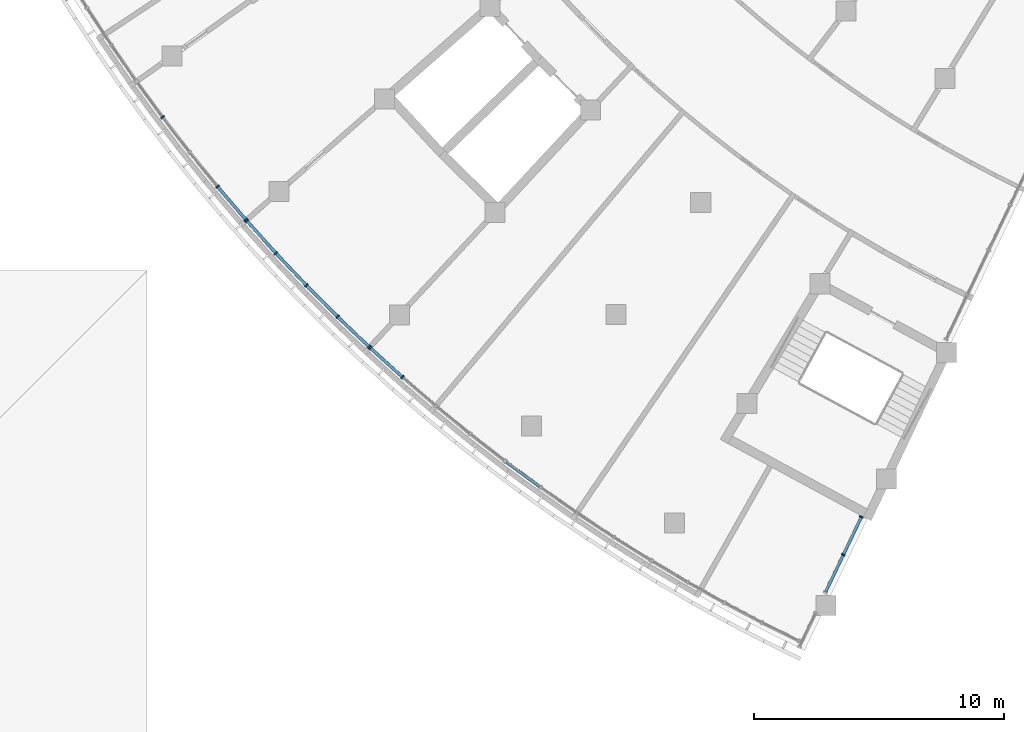
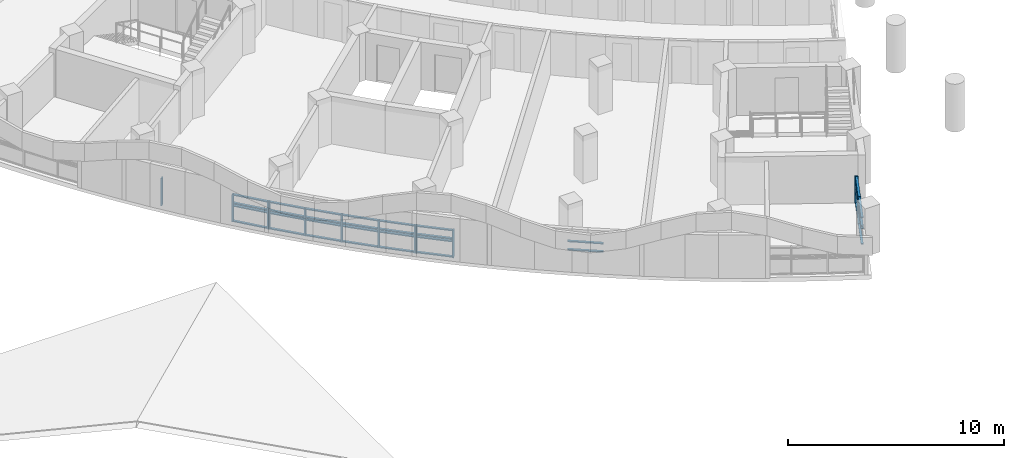
# One storey, part 4 of 89: 46 members, 5 elements without a shape of their own.
"""IFC4 building model written with IfcOpenShell, lengths in metres."""

from ifc_helpers import new_model, si_unit, direction, frame, origin, origin_2d, place, context, subcontext, project, spatial, rectangle, extrude, material, material_profile, profile_set, type_object, element, aggregate, save


model = new_model("IFC4")

# Units and contexts
model_context = context("Model", 3, precision=1e-05, world=origin(), true_north=direction((0.0, 1.0)))
body_context = subcontext(model_context, "Body", "Model", "MODEL_VIEW")
ifc_project = project(units=[si_unit("LENGTHUNIT", "METRE"), si_unit("AREAUNIT", "SQUARE_METRE"), si_unit("VOLUMEUNIT", "CUBIC_METRE"), si_unit("PLANEANGLEUNIT", "RADIAN"), si_unit("MASSUNIT", "GRAM", prefix="KILO")], contexts=[model_context])

# Site, building, storey
site_placement = place(None, origin())
site = spatial("IfcSite", under=ifc_project, at=site_placement, CompositionType="ELEMENT")
building_placement = place(site_placement, origin())
building = spatial("IfcBuilding", under=site, at=building_placement, Name="Bougainvillea Quay General Hospital", CompositionType="ELEMENT")
storey_placement = place(building_placement, frame((0.0, 0.0, 9.89990234375)))
storey = spatial("IfcBuildingStorey", under=building, at=storey_placement, Name="L01M", CompositionType="ELEMENT", Elevation=9.89990234375)

# Curtain wall, members
ifc_material_1 = material(Name="Aluminium curtain wall system, powder-coated glazed", Category="aluminium")
curtain_wall_type_1 = type_object("IfcCurtainWallType", Name="Unitised curtain wall CW-2100", PredefinedType="NOTDEFINED", material=ifc_material_1)
curtain_wall_1_placement = place(storey_placement, origin())
curtain_wall_1 = element("IfcCurtainWall", 1, at=curtain_wall_1_placement, inside=storey, type_object=curtain_wall_type_1, Name="CW-W03 a01b2", PredefinedType="NOTDEFINED")
ifc_material_2 = material(Name="Aluminium mullion, powder-coated charcoal", Category="aluminium")
ifc_material_profile_1 = material_profile(ifc_material_2, rectangle(XDim=0.159912109375, YDim=0.06005859375, at=origin_2d()))
ifc_profile_set_1 = profile_set([ifc_material_profile_1], Name="Aluminium mullion, powder-coated charcoal")
member_type_1 = type_object("IfcMemberType", Name="Curtain wall mullion 160x60", PredefinedType="MULLION", material=ifc_profile_set_1)
member_1_placement = place(storey_placement, frame((62.997802734375, 73.74658203125, 0.0), z_axis=(0.0, 0.0, 1.0), x_axis=(-0.662397799417, -0.749152291145, 0.0)))
member_1 = element("IfcMember", 2, at=member_1_placement, type_object=member_type_1, Name="CW-W03 mullion 4", PredefinedType="MULLION", context=body_context, shape_type="SweptSolid", body=[
    extrude(rectangle(XDim=0.159912109375, YDim=0.06005859375, at=origin_2d()), origin(), (0.0, 0.0, 1.0), 1.550048828125),
])
member_2_placement = place(storey_placement, frame((61.7099609375, 74.914794921875, 0.0), z_axis=(0.0, 0.0, 1.0), x_axis=(-0.671843410143, -0.740693210613, 0.0)))
member_2 = element("IfcMember", 3, at=member_2_placement, type_object=member_type_1, Name="CW-W03 mullion 5", PredefinedType="MULLION", context=body_context, shape_type="SweptSolid", body=[
    extrude(rectangle(XDim=0.159912109375, YDim=0.06005859375, at=origin_2d()), origin(), (0.0, 0.0, 1.0), 1.550048828125),
])

curtain_wall_2_placement = place(storey_placement, origin())
curtain_wall_2 = element("IfcCurtainWall", 4, at=curtain_wall_2_placement, inside=storey, type_object=curtain_wall_type_1, Name="CW-W04 a01b3", PredefinedType="NOTDEFINED")
member_3_placement = place(storey_placement, frame((61.666015625, 74.955810546875, 0.0), z_axis=(0.0, 0.0, 1.0), x_axis=(-0.690409082244, -0.72341917251, 0.0)))
member_3 = element("IfcMember", 5, at=member_3_placement, type_object=member_type_1, Name="CW-W04 mullion 1", PredefinedType="MULLION", context=body_context, shape_type="SweptSolid", body=[
    extrude(rectangle(XDim=0.159912109375, YDim=0.06005859375, at=origin_2d()), origin(), (0.0, 0.0, 1.0), 1.550048828125),
])
member_4_placement = place(storey_placement, frame((60.407958984375, 76.15625, 0.0), z_axis=(0.0, 0.0, 1.0), x_axis=(-0.699526158712, -0.714606992183, 0.0)))
member_4 = element("IfcMember", 6, at=member_4_placement, type_object=member_type_1, Name="CW-W04 mullion 2", PredefinedType="MULLION", context=body_context, shape_type="SweptSolid", body=[
    extrude(rectangle(XDim=0.159912109375, YDim=0.06005859375, at=origin_2d()), origin(), (0.0, 0.0, 1.0), 1.550048828125),
])
member_5_placement = place(storey_placement, frame((59.159912109375, 77.409423828125, 0.0), z_axis=(0.0, 0.0, 1.0), x_axis=(-0.717421463702, -0.69663939267, 0.0)))
member_5 = element("IfcMember", 7, at=member_5_placement, type_object=member_type_1, Name="CW-W04 mullion 3", PredefinedType="MULLION", context=body_context, shape_type="SweptSolid", body=[
    extrude(rectangle(XDim=0.159912109375, YDim=0.06005859375, at=origin_2d()), origin(), (0.0, 0.0, 1.0), 1.550048828125),
])
member_6_placement = place(storey_placement, frame((57.94384765625, 78.69384765625, 0.0), z_axis=(0.0, 0.0, 1.0), x_axis=(-0.734855411756, -0.678223800683, 0.0)))
member_6 = element("IfcMember", 8, at=member_6_placement, type_object=member_type_1, Name="CW-W04 mullion 4", PredefinedType="MULLION", context=body_context, shape_type="SweptSolid", body=[
    extrude(rectangle(XDim=0.159912109375, YDim=0.06005859375, at=origin_2d()), origin(), (0.0, 0.0, 1.0), 1.550048828125),
])
member_7_placement = place(storey_placement, frame((56.78076171875, 79.986572265625, 0.0), z_axis=(0.0, 0.0, 1.0), x_axis=(-0.743395861593, -0.668851697289, 0.0)))
member_7 = element("IfcMember", 9, at=member_7_placement, type_object=member_type_1, Name="CW-W04 mullion 5", PredefinedType="MULLION", context=body_context, shape_type="SweptSolid", body=[
    extrude(rectangle(XDim=0.159912109375, YDim=0.06005859375, at=origin_2d()), origin(), (0.0, 0.0, 1.0), 1.550048828125),
])

curtain_wall_3_placement = place(storey_placement, origin())
curtain_wall_3 = element("IfcCurtainWall", 10, at=curtain_wall_3_placement, inside=storey, type_object=curtain_wall_type_1, Name="CW-W05 a01b4", PredefinedType="NOTDEFINED")
member_8_placement = place(storey_placement, frame((56.7412109375, 80.031494140625, 0.0), z_axis=(0.0, 0.0, 1.0), x_axis=(-0.760116847627, -0.649786409486, 0.0)))
member_8 = element("IfcMember", 11, at=member_8_placement, type_object=member_type_1, Name="CW-W05 mullion 1", PredefinedType="MULLION", context=body_context, shape_type="SweptSolid", body=[
    extrude(rectangle(XDim=0.159912109375, YDim=0.06005859375, at=origin_2d()), origin(), (0.0, 0.0, 1.0), 1.550048828125),
])
member_9_placement = place(storey_placement, frame((55.611572265625, 81.353271484375, 0.0), z_axis=(0.0, 0.0, 1.0), x_axis=(-0.768294695498, -0.64009629031, 0.0)))
member_9 = element("IfcMember", 12, at=member_9_placement, type_object=member_type_1, Name="CW-W05 mullion 2", PredefinedType="MULLION", context=body_context, shape_type="SweptSolid", body=[
    extrude(rectangle(XDim=0.159912109375, YDim=0.06005859375, at=origin_2d()), origin(), (0.0, 0.0, 1.0), 1.550048828125),
])
member_10_placement = place(storey_placement, frame((53.4169921875, 84.12744140625, 0.0), z_axis=(0.0, 0.0, 1.0), x_axis=(-0.799758007688, -0.600322520933, 0.0)))
member_10 = element("IfcMember", 13, at=member_10_placement, type_object=member_type_1, Name="CW-W05 mullion 4", PredefinedType="MULLION", context=body_context, shape_type="SweptSolid", body=[
    extrude(rectangle(XDim=0.159912109375, YDim=0.06005859375, at=origin_2d()), origin(), (0.0, 0.0, 1.0), 1.550048828125),
])

curtain_wall_type_2 = type_object("IfcCurtainWallType", Name="Unitised curtain wall CW-1703", PredefinedType="NOTDEFINED", material=ifc_material_1)
curtain_wall_4_placement = place(storey_placement, origin())
curtain_wall_4 = element("IfcCurtainWall", 14, at=curtain_wall_4_placement, inside=storey, type_object=curtain_wall_type_2, Name="CW-AE 01", PredefinedType="NOTDEFINED")
member_11_placement = place(storey_placement, frame((80.61328125, 66.647705078125, 0.0), z_axis=(0.0, 0.0, 1.0), x_axis=(-0.902578440897, 0.430525444112, 0.0)))
member_11 = element("IfcMember", 15, at=member_11_placement, type_object=member_type_1, Name="CW-AE mullion 2", PredefinedType="MULLION", context=body_context, shape_type="SweptSolid", body=[
    extrude(rectangle(XDim=0.159912109375, YDim=0.06005859375, at=origin_2d()), origin(), (0.0, 0.0, 1.0), 1.550048828125),
])
member_12_placement = place(storey_placement, frame((81.33349609375, 68.157470703125, 0.0), z_axis=(0.0, 0.0, 1.0), x_axis=(-0.902578440897, 0.430525444112, 0.0)))
member_12 = element("IfcMember", 16, at=member_12_placement, type_object=member_type_1, Name="CW-AE mullion 3", PredefinedType="MULLION", context=body_context, shape_type="SweptSolid", body=[
    extrude(rectangle(XDim=0.159912109375, YDim=0.06005859375, at=origin_2d()), origin(), (0.0, 0.0, 1.0), 1.550048828125),
])

curtain_wall_5_placement = place(storey_placement, origin())
curtain_wall_5 = element("IfcCurtainWall", 17, at=curtain_wall_5_placement, inside=storey, type_object=curtain_wall_type_1, Name="CW-W02 a01b1", PredefinedType="NOTDEFINED")
ifc_material_3 = material(Name="Aluminium transom, powder-coated charcoal", Category="aluminium")
ifc_material_profile_2 = material_profile(ifc_material_3, rectangle(XDim=0.1201171875, YDim=0.06005859375, at=origin_2d()))
ifc_profile_set_2 = profile_set([ifc_material_profile_2], Name="Aluminium transom, powder-coated charcoal")
member_type_2 = type_object("IfcMemberType", Name="Curtain wall transom 120x60", PredefinedType="USERDEFINED", material=ifc_profile_set_2)
member_13_placement = place(storey_placement, frame((68.50244140625, 69.3544921875, 1.050048828125), z_axis=(-0.804894956089, 0.593417314934, 0.0), x_axis=(-0.593417314934, -0.804894956089, 0.0)))
member_13 = element("IfcMember", 18, at=member_13_placement, type_object=member_type_2, Name="CW-W02 transom 4.3", ObjectType="TRANSOM", PredefinedType="USERDEFINED", context=body_context, shape_type="SweptSolid", body=[
    extrude(rectangle(XDim=0.1201171875, YDim=0.06005859375, at=origin_2d()), origin(), (0.0, 0.0, 1.0), 1.678466796875),
])
member_14_placement = place(storey_placement, frame((68.50244140625, 69.3544921875, 1.52001953125), z_axis=(-0.804894956089, 0.593417314934, 0.0), x_axis=(-0.593417314934, -0.804894956089, 0.0)))
member_14 = element("IfcMember", 19, at=member_14_placement, type_object=member_type_2, Name="CW-W02 transom 4.4", ObjectType="TRANSOM", PredefinedType="USERDEFINED", context=body_context, shape_type="SweptSolid", body=[
    extrude(rectangle(XDim=0.1201171875, YDim=0.06005859375, at=origin_2d()), origin(), (0.0, 0.0, 1.0), 1.678466796875),
])
aggregate(curtain_wall_5, [member_13, member_14])

# Member
member_15_placement = place(storey_placement, frame((62.9755859375, 73.766845703125, 0.030029296875), z_axis=(-0.740663493484, 0.671876171195, 0.0), x_axis=(-0.671876171195, -0.740663493484, 0.0)))
member_15 = element("IfcMember", 20, at=member_15_placement, type_object=member_type_2, Name="CW-W03 transom 4.1", ObjectType="TRANSOM", PredefinedType="USERDEFINED", context=body_context, shape_type="SweptSolid", body=[
    extrude(rectangle(XDim=0.1201171875, YDim=0.06005859375, at=origin_2d()), origin(), (0.0, 0.0, 1.0), 1.6787109375),
])

member_16_placement = place(storey_placement, frame((62.9755859375, 73.766845703125, 0.900146484375), z_axis=(-0.740663493484, 0.671876171195, 0.0), x_axis=(-0.671876171195, -0.740663493484, 0.0)))
member_16 = element("IfcMember", 21, at=member_16_placement, type_object=member_type_2, Name="CW-W03 transom 4.2", ObjectType="TRANSOM", PredefinedType="USERDEFINED", context=body_context, shape_type="SweptSolid", body=[
    extrude(rectangle(XDim=0.1201171875, YDim=0.06005859375, at=origin_2d()), origin(), (0.0, 0.0, 1.0), 1.6787109375),
])

member_17_placement = place(storey_placement, frame((62.9755859375, 73.766845703125, 1.050048828125), z_axis=(-0.740663493484, 0.671876171195, 0.0), x_axis=(-0.671876171195, -0.740663493484, 0.0)))
member_17 = element("IfcMember", 22, at=member_17_placement, type_object=member_type_2, Name="CW-W03 transom 4.3", ObjectType="TRANSOM", PredefinedType="USERDEFINED", context=body_context, shape_type="SweptSolid", body=[
    extrude(rectangle(XDim=0.1201171875, YDim=0.06005859375, at=origin_2d()), origin(), (0.0, 0.0, 1.0), 1.6787109375),
])

member_18_placement = place(storey_placement, frame((62.9755859375, 73.766845703125, 1.52001953125), z_axis=(-0.740663493484, 0.671876171195, 0.0), x_axis=(-0.671876171195, -0.740663493484, 0.0)))
member_18 = element("IfcMember", 23, at=member_18_placement, type_object=member_type_2, Name="CW-W03 transom 4.4", ObjectType="TRANSOM", PredefinedType="USERDEFINED", context=body_context, shape_type="SweptSolid", body=[
    extrude(rectangle(XDim=0.1201171875, YDim=0.06005859375, at=origin_2d()), origin(), (0.0, 0.0, 1.0), 1.6787109375),
])

aggregate(curtain_wall_1, [member_1, member_2, member_15, member_16, member_17, member_18])

member_19_placement = place(storey_placement, frame((61.644287109375, 74.976318359375, 0.030029296875), z_axis=(-0.723418264264, 0.690410033914, 0.0), x_axis=(-0.690410033914, -0.723418264264, 0.0)))
member_19 = element("IfcMember", 24, at=member_19_placement, type_object=member_type_2, Name="CW-W04 transom 1.1", ObjectType="TRANSOM", PredefinedType="USERDEFINED", context=body_context, shape_type="SweptSolid", body=[
    extrude(rectangle(XDim=0.1201171875, YDim=0.06005859375, at=origin_2d()), origin(), (0.0, 0.0, 1.0), 1.678955078125),
])

member_20_placement = place(storey_placement, frame((61.644287109375, 74.976318359375, 0.900146484375), z_axis=(-0.723418264264, 0.690410033914, 0.0), x_axis=(-0.690410033914, -0.723418264264, 0.0)))
member_20 = element("IfcMember", 25, at=member_20_placement, type_object=member_type_2, Name="CW-W04 transom 1.2", ObjectType="TRANSOM", PredefinedType="USERDEFINED", context=body_context, shape_type="SweptSolid", body=[
    extrude(rectangle(XDim=0.1201171875, YDim=0.06005859375, at=origin_2d()), origin(), (0.0, 0.0, 1.0), 1.678955078125),
])

member_21_placement = place(storey_placement, frame((61.644287109375, 74.976318359375, 1.050048828125), z_axis=(-0.723418264264, 0.690410033914, 0.0), x_axis=(-0.690410033914, -0.723418264264, 0.0)))
member_21 = element("IfcMember", 26, at=member_21_placement, type_object=member_type_2, Name="CW-W04 transom 1.3", ObjectType="TRANSOM", PredefinedType="USERDEFINED", context=body_context, shape_type="SweptSolid", body=[
    extrude(rectangle(XDim=0.1201171875, YDim=0.06005859375, at=origin_2d()), origin(), (0.0, 0.0, 1.0), 1.678955078125),
])

member_22_placement = place(storey_placement, frame((61.644287109375, 74.976318359375, 1.52001953125), z_axis=(-0.723418264264, 0.690410033914, 0.0), x_axis=(-0.690410033914, -0.723418264264, 0.0)))
member_22 = element("IfcMember", 27, at=member_22_placement, type_object=member_type_2, Name="CW-W04 transom 1.4", ObjectType="TRANSOM", PredefinedType="USERDEFINED", context=body_context, shape_type="SweptSolid", body=[
    extrude(rectangle(XDim=0.1201171875, YDim=0.06005859375, at=origin_2d()), origin(), (0.0, 0.0, 1.0), 1.678955078125),
])

member_23_placement = place(storey_placement, frame((60.386962890625, 76.177490234375, 0.030029296875), z_axis=(-0.705676553405, 0.708534121955, 0.0), x_axis=(-0.708534121955, -0.705676553405, 0.0)))
member_23 = element("IfcMember", 28, at=member_23_placement, type_object=member_type_2, Name="CW-W04 transom 2.1", ObjectType="TRANSOM", PredefinedType="USERDEFINED", context=body_context, shape_type="SweptSolid", body=[
    extrude(rectangle(XDim=0.1201171875, YDim=0.06005859375, at=origin_2d()), origin(), (0.0, 0.0, 1.0), 1.708740234375),
])

member_24_placement = place(storey_placement, frame((60.386962890625, 76.177490234375, 0.900146484375), z_axis=(-0.705676553405, 0.708534121955, 0.0), x_axis=(-0.708534121955, -0.705676553405, 0.0)))
member_24 = element("IfcMember", 29, at=member_24_placement, type_object=member_type_2, Name="CW-W04 transom 2.2", ObjectType="TRANSOM", PredefinedType="USERDEFINED", context=body_context, shape_type="SweptSolid", body=[
    extrude(rectangle(XDim=0.1201171875, YDim=0.06005859375, at=origin_2d()), origin(), (0.0, 0.0, 1.0), 1.708740234375),
])

member_25_placement = place(storey_placement, frame((60.386962890625, 76.177490234375, 1.050048828125), z_axis=(-0.705676553405, 0.708534121955, 0.0), x_axis=(-0.708534121955, -0.705676553405, 0.0)))
member_25 = element("IfcMember", 30, at=member_25_placement, type_object=member_type_2, Name="CW-W04 transom 2.3", ObjectType="TRANSOM", PredefinedType="USERDEFINED", context=body_context, shape_type="SweptSolid", body=[
    extrude(rectangle(XDim=0.1201171875, YDim=0.06005859375, at=origin_2d()), origin(), (0.0, 0.0, 1.0), 1.708740234375),
])

member_26_placement = place(storey_placement, frame((60.386962890625, 76.177490234375, 1.52001953125), z_axis=(-0.705676553405, 0.708534121955, 0.0), x_axis=(-0.708534121955, -0.705676553405, 0.0)))
member_26 = element("IfcMember", 31, at=member_26_placement, type_object=member_type_2, Name="CW-W04 transom 2.4", ObjectType="TRANSOM", PredefinedType="USERDEFINED", context=body_context, shape_type="SweptSolid", body=[
    extrude(rectangle(XDim=0.1201171875, YDim=0.06005859375, at=origin_2d()), origin(), (0.0, 0.0, 1.0), 1.708740234375),
])

member_27_placement = place(storey_placement, frame((59.13916015625, 77.43115234375, 0.030029296875), z_axis=(-0.687483060128, 0.726200414512, 0.0), x_axis=(-0.726200414512, -0.687483060128, 0.0)))
member_27 = element("IfcMember", 32, at=member_27_placement, type_object=member_type_2, Name="CW-W04 transom 3.1", ObjectType="TRANSOM", PredefinedType="USERDEFINED", context=body_context, shape_type="SweptSolid", body=[
    extrude(rectangle(XDim=0.1201171875, YDim=0.06005859375, at=origin_2d()), origin(), (0.0, 0.0, 1.0), 1.708740234375),
])

member_28_placement = place(storey_placement, frame((59.13916015625, 77.43115234375, 0.900146484375), z_axis=(-0.687483060128, 0.726200414512, 0.0), x_axis=(-0.726200414512, -0.687483060128, 0.0)))
member_28 = element("IfcMember", 33, at=member_28_placement, type_object=member_type_2, Name="CW-W04 transom 3.2", ObjectType="TRANSOM", PredefinedType="USERDEFINED", context=body_context, shape_type="SweptSolid", body=[
    extrude(rectangle(XDim=0.1201171875, YDim=0.06005859375, at=origin_2d()), origin(), (0.0, 0.0, 1.0), 1.708740234375),
])

member_29_placement = place(storey_placement, frame((59.13916015625, 77.43115234375, 1.050048828125), z_axis=(-0.687483060128, 0.726200414512, 0.0), x_axis=(-0.726200414512, -0.687483060128, 0.0)))
member_29 = element("IfcMember", 34, at=member_29_placement, type_object=member_type_2, Name="CW-W04 transom 3.3", ObjectType="TRANSOM", PredefinedType="USERDEFINED", context=body_context, shape_type="SweptSolid", body=[
    extrude(rectangle(XDim=0.1201171875, YDim=0.06005859375, at=origin_2d()), origin(), (0.0, 0.0, 1.0), 1.708740234375),
])

member_30_placement = place(storey_placement, frame((59.13916015625, 77.43115234375, 1.52001953125), z_axis=(-0.687483060128, 0.726200414512, 0.0), x_axis=(-0.726200414512, -0.687483060128, 0.0)))
member_30 = element("IfcMember", 35, at=member_30_placement, type_object=member_type_2, Name="CW-W04 transom 3.4", ObjectType="TRANSOM", PredefinedType="USERDEFINED", context=body_context, shape_type="SweptSolid", body=[
    extrude(rectangle(XDim=0.1201171875, YDim=0.06005859375, at=origin_2d()), origin(), (0.0, 0.0, 1.0), 1.708740234375),
])

member_31_placement = place(storey_placement, frame((57.923828125, 78.71630859375, 0.030029296875), z_axis=(-0.668892408727, 0.743359230485, 0.0), x_axis=(-0.743359230485, -0.668892408727, 0.0)))
member_31 = element("IfcMember", 36, at=member_31_placement, type_object=member_type_2, Name="CW-W04 transom 4.1", ObjectType="TRANSOM", PredefinedType="USERDEFINED", context=body_context, shape_type="SweptSolid", body=[
    extrude(rectangle(XDim=0.1201171875, YDim=0.06005859375, at=origin_2d()), origin(), (0.0, 0.0, 1.0), 1.6787109375),
])

member_32_placement = place(storey_placement, frame((57.923828125, 78.71630859375, 0.900146484375), z_axis=(-0.668892408727, 0.743359230485, 0.0), x_axis=(-0.743359230485, -0.668892408727, 0.0)))
member_32 = element("IfcMember", 37, at=member_32_placement, type_object=member_type_2, Name="CW-W04 transom 4.2", ObjectType="TRANSOM", PredefinedType="USERDEFINED", context=body_context, shape_type="SweptSolid", body=[
    extrude(rectangle(XDim=0.1201171875, YDim=0.06005859375, at=origin_2d()), origin(), (0.0, 0.0, 1.0), 1.6787109375),
])

member_33_placement = place(storey_placement, frame((57.923828125, 78.71630859375, 1.050048828125), z_axis=(-0.668892408727, 0.743359230485, 0.0), x_axis=(-0.743359230485, -0.668892408727, 0.0)))
member_33 = element("IfcMember", 38, at=member_33_placement, type_object=member_type_2, Name="CW-W04 transom 4.3", ObjectType="TRANSOM", PredefinedType="USERDEFINED", context=body_context, shape_type="SweptSolid", body=[
    extrude(rectangle(XDim=0.1201171875, YDim=0.06005859375, at=origin_2d()), origin(), (0.0, 0.0, 1.0), 1.6787109375),
])

member_34_placement = place(storey_placement, frame((57.923828125, 78.71630859375, 1.52001953125), z_axis=(-0.668892408727, 0.743359230485, 0.0), x_axis=(-0.743359230485, -0.668892408727, 0.0)))
member_34 = element("IfcMember", 39, at=member_34_placement, type_object=member_type_2, Name="CW-W04 transom 4.4", ObjectType="TRANSOM", PredefinedType="USERDEFINED", context=body_context, shape_type="SweptSolid", body=[
    extrude(rectangle(XDim=0.1201171875, YDim=0.06005859375, at=origin_2d()), origin(), (0.0, 0.0, 1.0), 1.6787109375),
])

aggregate(curtain_wall_2, [member_3, member_4, member_5, member_6, member_7, member_19, member_20, member_21, member_22, member_23, member_24, member_25, member_26, member_27, member_28, member_29, member_30, member_31, member_32, member_33, member_34])

member_35_placement = place(storey_placement, frame((56.721923828125, 80.054443359375, 0.030029296875), z_axis=(-0.649844836937, 0.760066896994, 0.0), x_axis=(-0.760066896994, -0.649844836937, 0.0)))
member_35 = element("IfcMember", 40, at=member_35_placement, type_object=member_type_2, Name="CW-W05 transom 1.1", ObjectType="TRANSOM", PredefinedType="USERDEFINED", context=body_context, shape_type="SweptSolid", body=[
    extrude(rectangle(XDim=0.1201171875, YDim=0.06005859375, at=origin_2d()), origin(), (0.0, 0.0, 1.0), 1.678955078125),
])

member_36_placement = place(storey_placement, frame((56.721923828125, 80.054443359375, 0.900146484375), z_axis=(-0.649844836937, 0.760066896994, 0.0), x_axis=(-0.760066896994, -0.649844836937, 0.0)))
member_36 = element("IfcMember", 41, at=member_36_placement, type_object=member_type_2, Name="CW-W05 transom 1.2", ObjectType="TRANSOM", PredefinedType="USERDEFINED", context=body_context, shape_type="SweptSolid", body=[
    extrude(rectangle(XDim=0.1201171875, YDim=0.06005859375, at=origin_2d()), origin(), (0.0, 0.0, 1.0), 1.678955078125),
])

member_37_placement = place(storey_placement, frame((56.721923828125, 80.054443359375, 1.050048828125), z_axis=(-0.649844836937, 0.760066896994, 0.0), x_axis=(-0.760066896994, -0.649844836937, 0.0)))
member_37 = element("IfcMember", 42, at=member_37_placement, type_object=member_type_2, Name="CW-W05 transom 1.3", ObjectType="TRANSOM", PredefinedType="USERDEFINED", context=body_context, shape_type="SweptSolid", body=[
    extrude(rectangle(XDim=0.1201171875, YDim=0.06005859375, at=origin_2d()), origin(), (0.0, 0.0, 1.0), 1.678955078125),
])

member_38_placement = place(storey_placement, frame((56.721923828125, 80.054443359375, 1.52001953125), z_axis=(-0.649844836937, 0.760066896994, 0.0), x_axis=(-0.760066896994, -0.649844836937, 0.0)))
member_38 = element("IfcMember", 43, at=member_38_placement, type_object=member_type_2, Name="CW-W05 transom 1.4", ObjectType="TRANSOM", PredefinedType="USERDEFINED", context=body_context, shape_type="SweptSolid", body=[
    extrude(rectangle(XDim=0.1201171875, YDim=0.06005859375, at=origin_2d()), origin(), (0.0, 0.0, 1.0), 1.678955078125),
])

aggregate(curtain_wall_3, [member_8, member_9, member_10, member_35, member_36, member_37, member_38])

member_39_placement = place(storey_placement, frame((79.906005859375, 65.164794921875, 0.030029296875), z_axis=(0.430485805142, 0.902597347421, 0.0), x_axis=(-0.902597347421, 0.430485805142, 0.0)))
member_39 = element("IfcMember", 44, at=member_39_placement, type_object=member_type_2, Name="CW-AE transom 1.1", ObjectType="TRANSOM", PredefinedType="USERDEFINED", context=body_context, shape_type="SweptSolid", body=[
    extrude(rectangle(XDim=0.1201171875, YDim=0.06005859375, at=origin_2d()), origin(), (0.0, 0.0, 1.0), 1.61279296875),
])

member_40_placement = place(storey_placement, frame((79.906005859375, 65.164794921875, 0.900146484375), z_axis=(0.430485805142, 0.902597347421, 0.0), x_axis=(-0.902597347421, 0.430485805142, 0.0)))
member_40 = element("IfcMember", 45, at=member_40_placement, type_object=member_type_2, Name="CW-AE transom 1.2", ObjectType="TRANSOM", PredefinedType="USERDEFINED", context=body_context, shape_type="SweptSolid", body=[
    extrude(rectangle(XDim=0.1201171875, YDim=0.06005859375, at=origin_2d()), origin(), (0.0, 0.0, 1.0), 1.61279296875),
])

member_41_placement = place(storey_placement, frame((79.906005859375, 65.164794921875, 1.050048828125), z_axis=(0.430485805142, 0.902597347421, 0.0), x_axis=(-0.902597347421, 0.430485805142, 0.0)))
member_41 = element("IfcMember", 46, at=member_41_placement, type_object=member_type_2, Name="CW-AE transom 1.3", ObjectType="TRANSOM", PredefinedType="USERDEFINED", context=body_context, shape_type="SweptSolid", body=[
    extrude(rectangle(XDim=0.1201171875, YDim=0.06005859375, at=origin_2d()), origin(), (0.0, 0.0, 1.0), 1.61279296875),
])

member_42_placement = place(storey_placement, frame((79.906005859375, 65.164794921875, 1.52001953125), z_axis=(0.430485805142, 0.902597347421, 0.0), x_axis=(-0.902597347421, 0.430485805142, 0.0)))
member_42 = element("IfcMember", 47, at=member_42_placement, type_object=member_type_2, Name="CW-AE transom 1.4", ObjectType="TRANSOM", PredefinedType="USERDEFINED", context=body_context, shape_type="SweptSolid", body=[
    extrude(rectangle(XDim=0.1201171875, YDim=0.06005859375, at=origin_2d()), origin(), (0.0, 0.0, 1.0), 1.61279296875),
])

member_43_placement = place(storey_placement, frame((80.626220703125, 66.6748046875, 0.030029296875), z_axis=(0.430544626456, 0.902569290764, 0.0), x_axis=(-0.902569290764, 0.430544626456, 0.0)))
member_43 = element("IfcMember", 48, at=member_43_placement, type_object=member_type_2, Name="CW-AE transom 2.1", ObjectType="TRANSOM", PredefinedType="USERDEFINED", context=body_context, shape_type="SweptSolid", body=[
    extrude(rectangle(XDim=0.1201171875, YDim=0.06005859375, at=origin_2d()), origin(), (0.0, 0.0, 1.0), 1.61279296875),
])

member_44_placement = place(storey_placement, frame((80.626220703125, 66.6748046875, 0.900146484375), z_axis=(0.430544626456, 0.902569290764, 0.0), x_axis=(-0.902569290764, 0.430544626456, 0.0)))
member_44 = element("IfcMember", 49, at=member_44_placement, type_object=member_type_2, Name="CW-AE transom 2.2", ObjectType="TRANSOM", PredefinedType="USERDEFINED", context=body_context, shape_type="SweptSolid", body=[
    extrude(rectangle(XDim=0.1201171875, YDim=0.06005859375, at=origin_2d()), origin(), (0.0, 0.0, 1.0), 1.61279296875),
])

member_45_placement = place(storey_placement, frame((80.626220703125, 66.6748046875, 1.050048828125), z_axis=(0.430544626456, 0.902569290764, 0.0), x_axis=(-0.902569290764, 0.430544626456, 0.0)))
member_45 = element("IfcMember", 50, at=member_45_placement, type_object=member_type_2, Name="CW-AE transom 2.3", ObjectType="TRANSOM", PredefinedType="USERDEFINED", context=body_context, shape_type="SweptSolid", body=[
    extrude(rectangle(XDim=0.1201171875, YDim=0.06005859375, at=origin_2d()), origin(), (0.0, 0.0, 1.0), 1.61279296875),
])

member_46_placement = place(storey_placement, frame((80.626220703125, 66.6748046875, 1.52001953125), z_axis=(0.430544626456, 0.902569290764, 0.0), x_axis=(-0.902569290764, 0.430544626456, 0.0)))
member_46 = element("IfcMember", 51, at=member_46_placement, type_object=member_type_2, Name="CW-AE transom 2.4", ObjectType="TRANSOM", PredefinedType="USERDEFINED", context=body_context, shape_type="SweptSolid", body=[
    extrude(rectangle(XDim=0.1201171875, YDim=0.06005859375, at=origin_2d()), origin(), (0.0, 0.0, 1.0), 1.61279296875),
])

aggregate(curtain_wall_4, [member_11, member_12, member_39, member_40, member_41, member_42, member_43, member_44, member_45, member_46])

save(model, "model.ifc")
